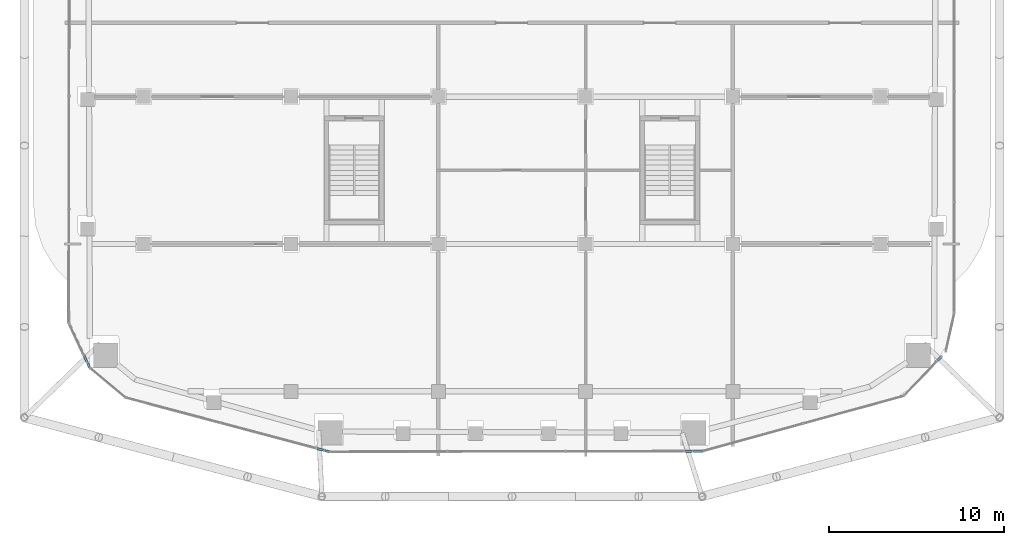
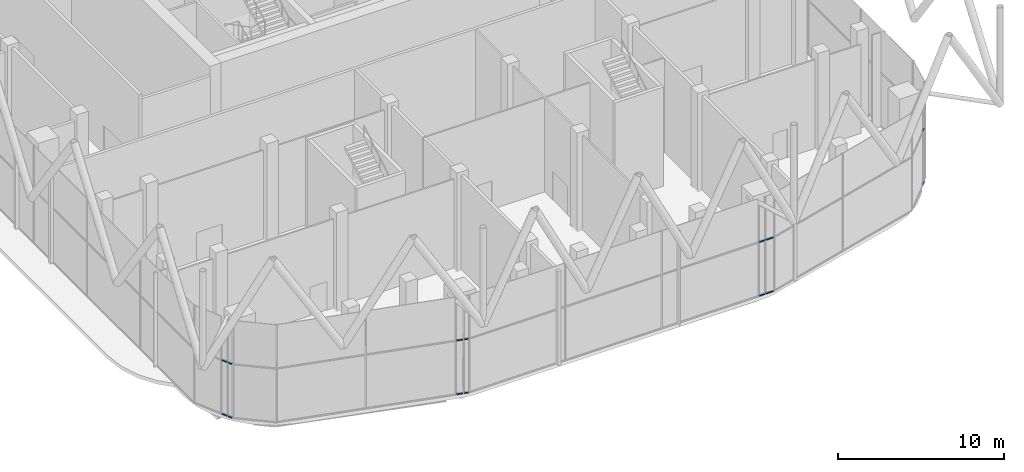
# One storey, part 11 of 25: 14 members, 7 elements without a shape of their own.
"""IFC4 building model written with IfcOpenShell, lengths in metres."""

from ifc_helpers import new_model, si_unit, direction, frame, origin, origin_2d, place, context, subcontext, project, spatial, rectangle, extrude, material, layer, layer_set, material_profile, profile_set, type_object, element, aggregate, save


model = new_model("IFC4")

# Units and contexts
model_context = context("Model", 3, precision=1e-05, world=origin(), true_north=direction((0.0, 1.0)))
body_context = subcontext(model_context, "Body", "Model", "MODEL_VIEW")
ifc_project = project(units=[si_unit("LENGTHUNIT", "METRE"), si_unit("AREAUNIT", "SQUARE_METRE"), si_unit("VOLUMEUNIT", "CUBIC_METRE"), si_unit("PLANEANGLEUNIT", "RADIAN"), si_unit("MASSUNIT", "GRAM", prefix="KILO")], contexts=[model_context])

# Site, building, storey
site_placement = place(None, origin())
site = spatial("IfcSite", under=ifc_project, at=site_placement, CompositionType="ELEMENT")
building_placement = place(site_placement, origin())
building = spatial("IfcBuilding", under=site, at=building_placement, Name="Marenta Gate Hotel Tower", CompositionType="ELEMENT")
storey_placement = place(building_placement, frame((0.0, 0.0, 180.5)))
storey = spatial("IfcBuildingStorey", under=building, at=storey_placement, Name="L41", CompositionType="ELEMENT", Elevation=180.5)

# Curtain wall, members
ifc_material_1 = material(Name="Tinted insulated glass in bronze anodised frame", Category="glass")
ifc_layer = layer(ifc_material_1, 0.1298828125)
ifc_layer_set = layer_set([ifc_layer], Name="Tinted insulated glass in bronze anodised frame")
curtain_wall_type = type_object("IfcCurtainWallType", Name="Sky lobby glazing CW2", PredefinedType="NOTDEFINED", material=ifc_layer_set)
curtain_wall_1_placement = place(storey_placement, origin())
curtain_wall_1 = element("IfcCurtainWall", 1, at=curtain_wall_1_placement, inside=storey, type_object=curtain_wall_type, Name="CW2 run G06", PredefinedType="NOTDEFINED")
ifc_material_2 = material(Name="Bronze anodised aluminium", Category="aluminium")
ifc_material_profile = material_profile(ifc_material_2, rectangle(XDim=0.1298828125, YDim=0.080078125, at=origin_2d()), Name="Transom CW2 80x130 bronze anodised aluminium")
ifc_profile_set = profile_set([ifc_material_profile], Name="Bronze anodised aluminium")
member_type = type_object("IfcMemberType", Name="Transom CW2 80x130 bronze anodised aluminium", PredefinedType="USERDEFINED", material=ifc_profile_set)
member_1_placement = place(storey_placement, frame((-24.4013671875, -23.1708984375, 0.0400390625), z_axis=(0.423119425702, -0.906073921705, 0.0), x_axis=(0.906073921705, 0.423119425702, 0.0)))
member_1 = element("IfcMember", 2, at=member_1_placement, type_object=member_type, Name="CW2 transom 1.1", ObjectType="TRANSOM", PredefinedType="USERDEFINED", context=body_context, shape_type="SweptSolid", body=[
    extrude(rectangle(XDim=0.1298828125, YDim=0.080078125, at=origin_2d()), origin(), (0.0, 0.0, 1.0), 0.39990234375),
])
member_2_placement = place(storey_placement, frame((-24.4013671875, -23.1708984375, 4.0), z_axis=(0.423119425702, -0.906073921705, 0.0), x_axis=(0.906073921705, 0.423119425702, 0.0)))
member_2 = element("IfcMember", 3, at=member_2_placement, type_object=member_type, Name="CW2 transom 1.2", ObjectType="TRANSOM", PredefinedType="USERDEFINED", context=body_context, shape_type="SweptSolid", body=[
    extrude(rectangle(XDim=0.1298828125, YDim=0.080078125, at=origin_2d()), origin(), (0.0, 0.0, 1.0), 0.39990234375),
])
aggregate(curtain_wall_1, [member_1, member_2])

curtain_wall_2_placement = place(storey_placement, origin())
curtain_wall_2 = element("IfcCurtainWall", 4, at=curtain_wall_2_placement, inside=storey, type_object=curtain_wall_type, Name="CW2 run G07", PredefinedType="NOTDEFINED")
member_3_placement = place(storey_placement, frame((-24.1982421875, -23.605712890625, 0.0400390625), z_axis=(0.423648224051, -0.905826794845, 0.0), x_axis=(0.905826794845, 0.423648224051, 0.0)))
member_3 = element("IfcMember", 5, at=member_3_placement, type_object=member_type, Name="CW2 transom 1.1", ObjectType="TRANSOM", PredefinedType="USERDEFINED", context=body_context, shape_type="SweptSolid", body=[
    extrude(rectangle(XDim=0.1298828125, YDim=0.080078125, at=origin_2d()), origin(), (0.0, 0.0, 1.0), 0.2626953125),
])
member_4_placement = place(storey_placement, frame((-24.1982421875, -23.605712890625, 4.0), z_axis=(0.423648224051, -0.905826794845, 0.0), x_axis=(0.905826794845, 0.423648224051, 0.0)))
member_4 = element("IfcMember", 6, at=member_4_placement, type_object=member_type, Name="CW2 transom 1.2", ObjectType="TRANSOM", PredefinedType="USERDEFINED", context=body_context, shape_type="SweptSolid", body=[
    extrude(rectangle(XDim=0.1298828125, YDim=0.080078125, at=origin_2d()), origin(), (0.0, 0.0, 1.0), 0.2626953125),
])
aggregate(curtain_wall_2, [member_3, member_4])

curtain_wall_3_placement = place(storey_placement, origin())
curtain_wall_3 = element("IfcCurtainWall", 7, at=curtain_wall_3_placement, inside=storey, type_object=curtain_wall_type, Name="CW2 run G10", PredefinedType="NOTDEFINED")
member_5_placement = place(storey_placement, frame((-11.126220703125, -28.4609375, 0.0400390625), z_axis=(0.966327053769, -0.257316974088, 0.0), x_axis=(0.257316974088, 0.966327053769, 0.0)))
member_5 = element("IfcMember", 8, at=member_5_placement, type_object=member_type, Name="CW2 transom 1.1", ObjectType="TRANSOM", PredefinedType="USERDEFINED", context=body_context, shape_type="SweptSolid", body=[
    extrude(rectangle(XDim=0.1298828125, YDim=0.080078125, at=origin_2d()), origin(), (0.0, 0.0, 1.0), 0.395751953125),
])
member_6_placement = place(storey_placement, frame((-11.126220703125, -28.4609375, 4.0), z_axis=(0.966327053769, -0.257316974088, 0.0), x_axis=(0.257316974088, 0.966327053769, 0.0)))
member_6 = element("IfcMember", 9, at=member_6_placement, type_object=member_type, Name="CW2 transom 1.2", ObjectType="TRANSOM", PredefinedType="USERDEFINED", context=body_context, shape_type="SweptSolid", body=[
    extrude(rectangle(XDim=0.1298828125, YDim=0.080078125, at=origin_2d()), origin(), (0.0, 0.0, 1.0), 0.395751953125),
])
aggregate(curtain_wall_3, [member_5, member_6])

curtain_wall_4_placement = place(storey_placement, origin())
curtain_wall_4 = element("IfcCurtainWall", 10, at=curtain_wall_4_placement, inside=storey, type_object=curtain_wall_type, Name="CW2 run G11", PredefinedType="NOTDEFINED")
member_7_placement = place(storey_placement, frame((-10.666748046875, -28.583251953125, 0.0400390625), z_axis=(0.966295093707, -0.257436966804, 0.0), x_axis=(0.257436966804, 0.966295093707, 0.0)))
member_7 = element("IfcMember", 11, at=member_7_placement, type_object=member_type, Name="CW2 transom 1.1", ObjectType="TRANSOM", PredefinedType="USERDEFINED", context=body_context, shape_type="SweptSolid", body=[
    extrude(rectangle(XDim=0.1298828125, YDim=0.080078125, at=origin_2d()), origin(), (0.0, 0.0, 1.0), 0.269287109375),
])
member_8_placement = place(storey_placement, frame((-10.666748046875, -28.583251953125, 4.0), z_axis=(0.966295093707, -0.257436966804, 0.0), x_axis=(0.257436966804, 0.966295093707, 0.0)))
member_8 = element("IfcMember", 12, at=member_8_placement, type_object=member_type, Name="CW2 transom 1.2", ObjectType="TRANSOM", PredefinedType="USERDEFINED", context=body_context, shape_type="SweptSolid", body=[
    extrude(rectangle(XDim=0.1298828125, YDim=0.080078125, at=origin_2d()), origin(), (0.0, 0.0, 1.0), 0.269287109375),
])
aggregate(curtain_wall_4, [member_7, member_8])

curtain_wall_5_placement = place(storey_placement, origin())
curtain_wall_5 = element("IfcCurtainWall", 13, at=curtain_wall_5_placement, inside=storey, type_object=curtain_wall_type, Name="CW2 run G13", PredefinedType="NOTDEFINED")
member_9_placement = place(storey_placement, frame((9.87646484375, -28.619140625, 0.0400390625), z_axis=(0.999998274693, 0.001857581934, 0.0), x_axis=(-0.001857581934, 0.999998274693, 0.0)))
member_9 = element("IfcMember", 14, at=member_9_placement, type_object=member_type, Name="CW2 transom 1.1", ObjectType="TRANSOM", PredefinedType="USERDEFINED", context=body_context, shape_type="SweptSolid", body=[
    extrude(rectangle(XDim=0.1298828125, YDim=0.080078125, at=origin_2d()), origin(), (0.0, 0.0, 1.0), 0.394287109375),
])
member_10_placement = place(storey_placement, frame((9.87646484375, -28.619140625, 4.0), z_axis=(0.999998274693, 0.001857581934, 0.0), x_axis=(-0.001857581934, 0.999998274693, 0.0)))
member_10 = element("IfcMember", 15, at=member_10_placement, type_object=member_type, Name="CW2 transom 1.2", ObjectType="TRANSOM", PredefinedType="USERDEFINED", context=body_context, shape_type="SweptSolid", body=[
    extrude(rectangle(XDim=0.1298828125, YDim=0.080078125, at=origin_2d()), origin(), (0.0, 0.0, 1.0), 0.394287109375),
])
aggregate(curtain_wall_5, [member_9, member_10])

curtain_wall_6_placement = place(storey_placement, origin())
curtain_wall_6 = element("IfcCurtainWall", 16, at=curtain_wall_6_placement, inside=storey, type_object=curtain_wall_type, Name="CW2 run G14", PredefinedType="NOTDEFINED")
member_11_placement = place(storey_placement, frame((10.3505859375, -28.618408203125, 0.0400390625), z_axis=(0.999998262882, 0.001863929661, 0.0), x_axis=(-0.001863929661, 0.999998262882, 0.0)))
member_11 = element("IfcMember", 17, at=member_11_placement, type_object=member_type, Name="CW2 transom 1.1", ObjectType="TRANSOM", PredefinedType="USERDEFINED", context=body_context, shape_type="SweptSolid", body=[
    extrude(rectangle(XDim=0.1298828125, YDim=0.080078125, at=origin_2d()), origin(), (0.0, 0.0, 1.0), 0.52392578125),
])
member_12_placement = place(storey_placement, frame((10.3505859375, -28.618408203125, 4.0), z_axis=(0.999998262882, 0.001863929661, 0.0), x_axis=(-0.001863929661, 0.999998262882, 0.0)))
member_12 = element("IfcMember", 18, at=member_12_placement, type_object=member_type, Name="CW2 transom 1.2", ObjectType="TRANSOM", PredefinedType="USERDEFINED", context=body_context, shape_type="SweptSolid", body=[
    extrude(rectangle(XDim=0.1298828125, YDim=0.080078125, at=origin_2d()), origin(), (0.0, 0.0, 1.0), 0.52392578125),
])
aggregate(curtain_wall_6, [member_11, member_12])

curtain_wall_7_placement = place(storey_placement, origin())
curtain_wall_7 = element("IfcCurtainWall", 19, at=curtain_wall_7_placement, inside=storey, type_object=curtain_wall_type, Name="CW2 run G17", PredefinedType="NOTDEFINED")
member_13_placement = place(storey_placement, frame((24.26220703125, -23.45068359375, 0.0400390625), z_axis=(0.692792092687, 0.721137376864, 0.0), x_axis=(-0.721137376864, 0.692792092687, 0.0)))
member_13 = element("IfcMember", 20, at=member_13_placement, type_object=member_type, Name="CW2 transom 1.1", ObjectType="TRANSOM", PredefinedType="USERDEFINED", context=body_context, shape_type="SweptSolid", body=[
    extrude(rectangle(XDim=0.1298828125, YDim=0.080078125, at=origin_2d()), origin(), (0.0, 0.0, 1.0), 0.292724609375),
])
member_14_placement = place(storey_placement, frame((24.26220703125, -23.45068359375, 4.0), z_axis=(0.692792092687, 0.721137376864, 0.0), x_axis=(-0.721137376864, 0.692792092687, 0.0)))
member_14 = element("IfcMember", 21, at=member_14_placement, type_object=member_type, Name="CW2 transom 1.2", ObjectType="TRANSOM", PredefinedType="USERDEFINED", context=body_context, shape_type="SweptSolid", body=[
    extrude(rectangle(XDim=0.1298828125, YDim=0.080078125, at=origin_2d()), origin(), (0.0, 0.0, 1.0), 0.292724609375),
])
aggregate(curtain_wall_7, [member_13, member_14])

save(model, "model.ifc")
